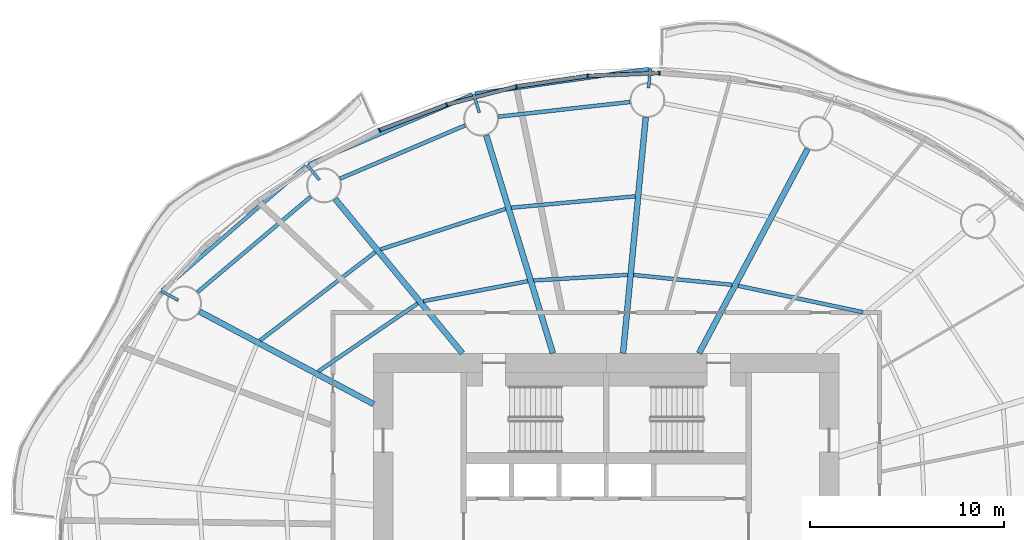
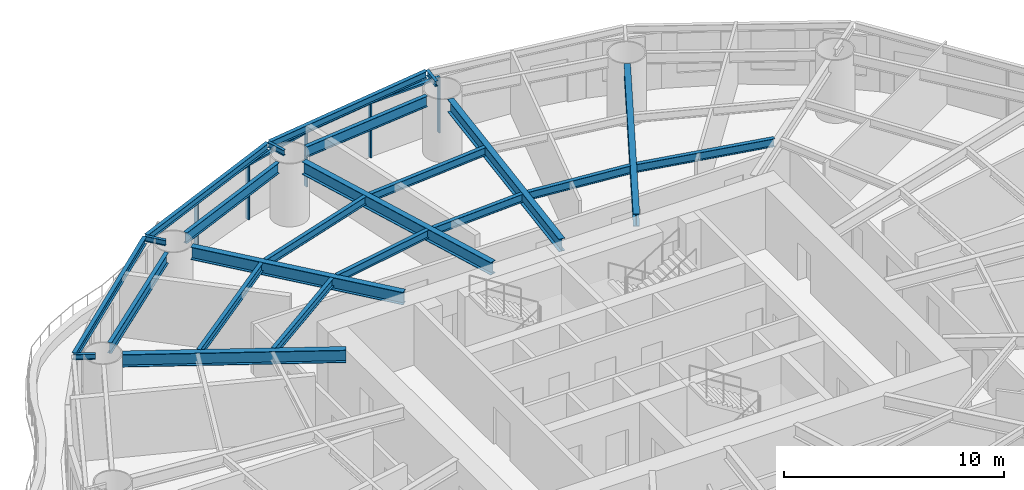
# One storey, part 5 of 16: 23 beams, 9 members, 4 elements without a shape of their own.
"""IFC4 building model written with IfcOpenShell, lengths in metres."""

from ifc_helpers import new_model, si_unit, direction, frame, origin, origin_2d, place, context, subcontext, project, spatial, rectangle, i_section, extrude, material, material_profile, profile_set, type_object, element, aggregate, save


model = new_model("IFC4")

# Units and contexts
model_context = context("Model", 3, precision=1e-05, world=origin(), true_north=direction((0.0, 1.0)))
body_context = subcontext(model_context, "Body", "Model", "MODEL_VIEW")
ifc_project = project(units=[si_unit("LENGTHUNIT", "METRE"), si_unit("AREAUNIT", "SQUARE_METRE"), si_unit("VOLUMEUNIT", "CUBIC_METRE"), si_unit("PLANEANGLEUNIT", "RADIAN"), si_unit("MASSUNIT", "GRAM", prefix="KILO")], contexts=[model_context])

# Site, building, storey
site_placement = place(None, origin())
site = spatial("IfcSite", under=ifc_project, at=site_placement, CompositionType="ELEMENT")
building_placement = place(site_placement, origin())
building = spatial("IfcBuilding", under=site, at=building_placement, Name="Vermilion Reach Broadcast Tower", CompositionType="ELEMENT")
storey_placement = place(building_placement, frame((0.0, 0.0, 80.39990234375)))
storey = spatial("IfcBuildingStorey", under=building, at=storey_placement, Name="L17", CompositionType="ELEMENT", Elevation=80.39990234375)

# Beams
ifc_material_1 = material(Name="Steel S355J2", Category="steel")
ifc_material_profile_1 = material_profile(ifc_material_1, i_section(OverallWidth=0.199951171875, OverallDepth=0.39990234375, WebThickness=0.008056640625, FlangeThickness=0.012939453125, at=origin_2d()), Name="S355J2 HN 400x200x8x13")
ifc_profile_set_1 = profile_set([ifc_material_profile_1], Name="Steel S355J2")
beam_type_1 = type_object("IfcBeamType", Name="EB1 HN 400x200x8x13", PredefinedType="BEAM", material=ifc_profile_set_1)
beam_1_placement = place(storey_placement, frame((-3.800048828125, 23.671875, 3.300048828125), z_axis=(-0.989796952398, -0.142485062457, 0.0), x_axis=(0.142485062457, -0.989796952398, 0.0)))
element("IfcBeam", 1, at=beam_1_placement, inside=storey, type_object=beam_type_1, Name="Edge beam EB1-04", PredefinedType="BEAM", context=body_context, shape_type="SweptSolid", body=[
    extrude(i_section(OverallWidth=0.199951171875, OverallDepth=0.39990234375, WebThickness=0.008056640625, FlangeThickness=0.012939453125, at=origin_2d()), origin(), (0.0, 0.0, 1.0), 9.060791015625),
])
beam_2_placement = place(storey_placement, frame((-12.912841796875, 22.340576171875, 3.300048828125), z_axis=(-0.920064099083, -0.391767856746, 0.0), x_axis=(0.391767856746, -0.920064099083, 0.0)))
element("IfcBeam", 2, at=beam_2_placement, inside=storey, type_object=beam_type_1, Name="Edge beam EB1-05", PredefinedType="BEAM", context=body_context, shape_type="SweptSolid", body=[
    extrude(i_section(OverallWidth=0.199951171875, OverallDepth=0.39990234375, WebThickness=0.008056640625, FlangeThickness=0.012939453125, at=origin_2d()), origin(), (0.0, 0.0, 1.0), 9.1806640625),
])
beam_3_placement = place(storey_placement, frame((-21.48828125, 18.6640625, 3.300048828125), z_axis=(-0.756490108512, -0.654005134325, 0.0), x_axis=(0.654005134325, -0.756490108512, 0.0)))
element("IfcBeam", 3, at=beam_3_placement, inside=storey, type_object=beam_type_1, Name="Edge beam EB1-06", PredefinedType="BEAM", context=body_context, shape_type="SweptSolid", body=[
    extrude(i_section(OverallWidth=0.199951171875, OverallDepth=0.39990234375, WebThickness=0.008056640625, FlangeThickness=0.012939453125, at=origin_2d()), origin(), (0.0, 0.0, 1.0), 9.798095703125),
])
ifc_material_2 = material(Name="Steel S355J2", Category="steel")
ifc_material_profile_2 = material_profile(ifc_material_2, i_section(OverallWidth=0.300048828125, OverallDepth=0.699951171875, WebThickness=0.012939453125, FlangeThickness=0.02392578125, at=origin_2d()), Name="S355J2 HN 700x300x13x24")
ifc_profile_set_2 = profile_set([ifc_material_profile_2], Name="Steel S355J2")
beam_type_2 = type_object("IfcBeamType", Name="G1 HN 700x300x13x24", PredefinedType="BEAM", material=ifc_profile_set_2)
beam_4_placement = place(storey_placement, frame((-1.216552734375, 9.0, 3.150146484375), z_axis=(0.469312182262, 0.883032318537, 0.0), x_axis=(-0.883032318537, 0.469312182262, 0.0)))
element("IfcBeam", 4, at=beam_4_placement, inside=storey, type_object=beam_type_2, Name="Girder G1-03", PredefinedType="BEAM", context=body_context, shape_type="SweptSolid", body=[
    extrude(i_section(OverallWidth=0.300048828125, OverallDepth=0.699951171875, WebThickness=0.012939453125, FlangeThickness=0.02392578125, at=origin_2d()), origin(), (0.0, 0.0, 1.0), 11.94091796875),
])
beam_5_placement = place(storey_placement, frame((-5.135009765625, 9.0, 3.150146484375), z_axis=(0.09566673912, 0.995413419151, 0.0), x_axis=(-0.995413419151, 0.09566673912, 0.0)))
element("IfcBeam", 5, at=beam_5_placement, inside=storey, type_object=beam_type_2, Name="Girder G1-04", PredefinedType="BEAM", context=body_context, shape_type="SweptSolid", body=[
    extrude(i_section(OverallWidth=0.300048828125, OverallDepth=0.699951171875, WebThickness=0.012939453125, FlangeThickness=0.02392578125, at=origin_2d()), origin(), (0.0, 0.0, 1.0), 12.22412109375),
])
beam_6_placement = place(storey_placement, frame((-8.753173828125, 9.0, 3.150146484375), z_axis=(-0.292542302886, 0.95625258223, 0.0), x_axis=(-0.95625258223, -0.292542302886, 0.0)))
element("IfcBeam", 6, at=beam_6_placement, inside=storey, type_object=beam_type_2, Name="Girder G1-05", PredefinedType="BEAM", context=body_context, shape_type="SweptSolid", body=[
    extrude(i_section(OverallWidth=0.300048828125, OverallDepth=0.699951171875, WebThickness=0.012939453125, FlangeThickness=0.02392578125, at=origin_2d()), origin(), (0.0, 0.0, 1.0), 11.76220703125),
])
beam_7_placement = place(storey_placement, frame((-13.421630859375, 9.0, 3.150146484375), z_axis=(-0.636215165107, 0.77151167437, 0.0), x_axis=(-0.77151167437, -0.636215165107, 0.0)))
element("IfcBeam", 7, at=beam_7_placement, inside=storey, type_object=beam_type_2, Name="Girder G1-06", PredefinedType="BEAM", context=body_context, shape_type="SweptSolid", body=[
    extrude(i_section(OverallWidth=0.300048828125, OverallDepth=0.699951171875, WebThickness=0.012939453125, FlangeThickness=0.02392578125, at=origin_2d()), origin(), (0.0, 0.0, 1.0), 10.3251953125),
])
beam_8_placement = place(storey_placement, frame((-18.0, 6.3779296875, 3.150146484375), z_axis=(-0.883032139419, 0.469312519279, 0.0), x_axis=(-0.469312519279, -0.883032139419, 0.0)))
element("IfcBeam", 8, at=beam_8_placement, inside=storey, type_object=beam_type_2, Name="Girder G1-07", PredefinedType="BEAM", context=body_context, shape_type="SweptSolid", body=[
    extrude(i_section(OverallWidth=0.300048828125, OverallDepth=0.699951171875, WebThickness=0.012939453125, FlangeThickness=0.02392578125, at=origin_2d()), origin(), (0.0, 0.0, 1.0), 10.17529296875),
])
ifc_material_3 = material(Name="Steel S355J2", Category="steel")
ifc_material_profile_3 = material_profile(ifc_material_3, i_section(OverallWidth=0.14990234375, OverallDepth=0.300048828125, WebThickness=0.006591796875, FlangeThickness=0.009033203125, at=origin_2d()), Name="S355J2 HN 300x150x6.5x9")
ifc_profile_set_3 = profile_set([ifc_material_profile_3], Name="Steel S355J2")
beam_type_3 = type_object("IfcBeamType", Name="GS1 HN 300x150x6.5x9", PredefinedType="BEAM", material=ifc_profile_set_3)
for number, where, z_axis, x_axis, name in (
    (9, (-3.8193359375, 22.6875, 3.35009765625), (0.095465829939, 0.995432707577, 0.0), (-0.995432707577, 0.095465829939, 0.0), "Cantilever stub GS1-04"),
    (10, (-12.551025390625, 21.413818359375, 3.35009765625), (-0.292472824594, 0.95627383467, 0.0), (-0.95627383467, -0.292472824594, 0.0), "Cantilever stub GS1-05"),
    (11, (-20.795166015625, 17.941650390625, 3.35009765625), (-0.636237674108, 0.771493112118, 0.0), (-0.771493112118, -0.636237674108, 0.0), "Cantilever stub GS1-06"),
    (12, (-28.078369140625, 11.734375, 3.35009765625), (-0.883068299348, 0.469244476458, 0.0), (-0.469244476458, -0.883068299348, 0.0), "Cantilever stub GS1-07"),
):
    element("IfcBeam", number, at=place(storey_placement, frame(where, z_axis=z_axis, x_axis=x_axis)), inside=storey, type_object=beam_type_3, Name=name, PredefinedType="BEAM", context=body_context, shape_type="SweptSolid", body=[
        extrude(i_section(OverallWidth=0.14990234375, OverallDepth=0.300048828125, WebThickness=0.006591796875, FlangeThickness=0.009033203125, at=origin_2d()), origin(), (0.0, 0.0, 1.0), 1.0),
    ])
ifc_material_4 = material(Name="Steel S355J2", Category="steel")
ifc_material_profile_4 = material_profile(ifc_material_4, i_section(OverallWidth=0.199951171875, OverallDepth=0.60009765625, WebThickness=0.010986328125, FlangeThickness=0.01708984375, at=origin_2d()), Name="S355J2 HN 600x200x11x17")
ifc_profile_set_4 = profile_set([ifc_material_profile_4], Name="Steel S355J2")
beam_type_4 = type_object("IfcBeamType", Name="RB1 HN 600x200x11x17", PredefinedType="BEAM", material=ifc_profile_set_4)
beam_9_placement = place(storey_placement, frame((-4.77392578125, 21.964111328125, 3.2001953125), z_axis=(-0.993851439324, -0.110721798009, 0.0), x_axis=(0.110721798009, -0.993851439324, 0.0)))
element("IfcBeam", 13, at=beam_9_placement, inside=storey, type_object=beam_type_4, Name="Ring beam RB1-04", PredefinedType="BEAM", context=body_context, shape_type="SweptSolid", body=[
    extrude(i_section(OverallWidth=0.199951171875, OverallDepth=0.60009765625, WebThickness=0.010986328125, FlangeThickness=0.01708984375, at=origin_2d()), origin(), (0.0, 0.0, 1.0), 6.8310546875),
])
beam_10_placement = place(storey_placement, frame((-13.28564453125, 20.755859375, 3.2001953125), z_axis=(-0.920220846584, -0.391399531825, 0.0), x_axis=(0.391399531825, -0.920220846584, 0.0)))
element("IfcBeam", 14, at=beam_10_placement, inside=storey, type_object=beam_type_4, Name="Ring beam RB1-05", PredefinedType="BEAM", context=body_context, shape_type="SweptSolid", body=[
    extrude(i_section(OverallWidth=0.199951171875, OverallDepth=0.60009765625, WebThickness=0.010986328125, FlangeThickness=0.01708984375, at=origin_2d()), origin(), (0.0, 0.0, 1.0), 7.008544921875),
])
beam_11_placement = place(storey_placement, frame((-21.251220703125, 17.080322265625, 3.2001953125), z_axis=(-0.764512441084, -0.6446089725, 0.0), x_axis=(0.6446089725, -0.764512441084, 0.0)))
element("IfcBeam", 15, at=beam_11_placement, inside=storey, type_object=beam_type_4, Name="Ring beam RB1-06", PredefinedType="BEAM", context=body_context, shape_type="SweptSolid", body=[
    extrude(i_section(OverallWidth=0.199951171875, OverallDepth=0.60009765625, WebThickness=0.010986328125, FlangeThickness=0.01708984375, at=origin_2d()), origin(), (0.0, 0.0, 1.0), 7.6396484375),
])
ifc_material_5 = material(Name="Steel S355J2", Category="steel")
ifc_material_profile_5 = material_profile(ifc_material_5, i_section(OverallWidth=0.199951171875, OverallDepth=0.449951171875, WebThickness=0.009033203125, FlangeThickness=0.013916015625, at=origin_2d()), Name="S355J2 HN 450x200x9x14")
ifc_profile_set_5 = profile_set([ifc_material_profile_5], Name="Steel S355J2")
beam_type_5 = type_object("IfcBeamType", Name="SB1 HN 450x200x9x14", PredefinedType="BEAM", material=ifc_profile_set_5)
beam_12_placement = place(storey_placement, frame((7.24560546875, 11.1171875, 3.275146484375), z_axis=(-0.978270372412, 0.207333254596, 0.0), x_axis=(-0.207333254596, -0.978270372412, 0.0)))
element("IfcBeam", 16, at=beam_12_placement, inside=storey, type_object=beam_type_5, Name="Secondary beam SB1-02-1", PredefinedType="BEAM", context=body_context, shape_type="SweptSolid", body=[
    extrude(i_section(OverallWidth=0.199951171875, OverallDepth=0.449951171875, WebThickness=0.009033203125, FlangeThickness=0.013916015625, at=origin_2d()), origin(), (0.0, 0.0, 1.0), 6.584716796875),
])
beam_13_placement = place(storey_placement, frame((0.490234375, 12.531005859375, 3.275146484375), z_axis=(-0.995010199331, 0.099773259079, 0.0), x_axis=(-0.099773259079, -0.995010199331, 0.0)))
element("IfcBeam", 17, at=beam_13_placement, inside=storey, type_object=beam_type_5, Name="Secondary beam SB1-03-1", PredefinedType="BEAM", context=body_context, shape_type="SweptSolid", body=[
    extrude(i_section(OverallWidth=0.199951171875, OverallDepth=0.449951171875, WebThickness=0.009033203125, FlangeThickness=0.013916015625, at=origin_2d()), origin(), (0.0, 0.0, 1.0), 5.111572265625),
])
beam_14_placement = place(storey_placement, frame((-4.896728515625, 13.046875, 3.275146484375), z_axis=(-0.99823410974, -0.059402543307, 0.0), x_axis=(0.059402543307, -0.99823410974, 0.0)))
element("IfcBeam", 18, at=beam_14_placement, inside=storey, type_object=beam_type_5, Name="Secondary beam SB1-04-1", PredefinedType="BEAM", context=body_context, shape_type="SweptSolid", body=[
    extrude(i_section(OverallWidth=0.199951171875, OverallDepth=0.449951171875, WebThickness=0.009033203125, FlangeThickness=0.013916015625, at=origin_2d()), origin(), (0.0, 0.0, 1.0), 4.85791015625),
])
beam_15_placement = place(storey_placement, frame((-4.50732421875, 17.09814453125, 3.275146484375), z_axis=(-0.995818616382, -0.091352521952, 0.0), x_axis=(0.091352521952, -0.995818616382, 0.0)))
element("IfcBeam", 19, at=beam_15_placement, inside=storey, type_object=beam_type_5, Name="Secondary beam SB1-04-2", PredefinedType="BEAM", context=body_context, shape_type="SweptSolid", body=[
    extrude(i_section(OverallWidth=0.199951171875, OverallDepth=0.449951171875, WebThickness=0.009033203125, FlangeThickness=0.013916015625, at=origin_2d()), origin(), (0.0, 0.0, 1.0), 6.4140625),
])
beam_16_placement = place(storey_placement, frame((-10.04833984375, 12.720703125, 3.275146484375), z_axis=(-0.982151348822, -0.188092339045, 0.0), x_axis=(0.188092339045, -0.982151348822, 0.0)))
element("IfcBeam", 20, at=beam_16_placement, inside=storey, type_object=beam_type_5, Name="Secondary beam SB1-05-1", PredefinedType="BEAM", context=body_context, shape_type="SweptSolid", body=[
    extrude(i_section(OverallWidth=0.199951171875, OverallDepth=0.449951171875, WebThickness=0.009033203125, FlangeThickness=0.013916015625, at=origin_2d()), origin(), (0.0, 0.0, 1.0), 5.4931640625),
])
beam_17_placement = place(storey_placement, frame((-11.18994140625, 16.4521484375, 3.275146484375), z_axis=(-0.951332300844, -0.308166924523, 0.0), x_axis=(0.308166924523, -0.951332300844, 0.0)))
element("IfcBeam", 21, at=beam_17_placement, inside=storey, type_object=beam_type_5, Name="Secondary beam SB1-05-2", PredefinedType="BEAM", context=body_context, shape_type="SweptSolid", body=[
    extrude(i_section(OverallWidth=0.199951171875, OverallDepth=0.449951171875, WebThickness=0.009033203125, FlangeThickness=0.013916015625, at=origin_2d()), origin(), (0.0, 0.0, 1.0), 6.787841796875),
])
beam_18_placement = place(storey_placement, frame((-15.735595703125, 11.5703125, 3.275146484375), z_axis=(-0.825140253447, -0.564927926502, 0.0), x_axis=(0.564927926502, -0.825140253447, 0.0)))
element("IfcBeam", 22, at=beam_18_placement, inside=storey, type_object=beam_type_5, Name="Secondary beam SB1-06-1", PredefinedType="BEAM", context=body_context, shape_type="SweptSolid", body=[
    extrude(i_section(OverallWidth=0.199951171875, OverallDepth=0.449951171875, WebThickness=0.009033203125, FlangeThickness=0.013916015625, at=origin_2d()), origin(), (0.0, 0.0, 1.0), 6.20458984375),
])
beam_19_placement = place(storey_placement, frame((-17.920166015625, 14.21923828125, 3.275146484375), z_axis=(-0.793349617473, -0.60876628065, 0.0), x_axis=(0.60876628065, -0.793349617473, 0.0)))
element("IfcBeam", 23, at=beam_19_placement, inside=storey, type_object=beam_type_5, Name="Secondary beam SB1-06-2", PredefinedType="BEAM", context=body_context, shape_type="SweptSolid", body=[
    extrude(i_section(OverallWidth=0.199951171875, OverallDepth=0.449951171875, WebThickness=0.009033203125, FlangeThickness=0.013916015625, at=origin_2d()), origin(), (0.0, 0.0, 1.0), 7.486328125),
])

# Curtain wall, member
ifc_material_6 = material(Name="Low-e laminated clear glass in aluminium frame", Category="aluminium")
curtain_wall_type = type_object("IfcCurtainWallType", Name="Slot curtain wall", PredefinedType="NOTDEFINED", material=ifc_material_6)
placement = place(storey_placement, origin())
curtain_wall_1 = element("IfcCurtainWall", 24, at=placement, inside=storey, type_object=curtain_wall_type, Name="Slot curtain wall L17 10", PredefinedType="NOTDEFINED")
ifc_material_7 = material(Name="Anodised aluminium", Category="aluminium")
ifc_material_profile_6 = material_profile(ifc_material_7, rectangle(XDim=0.199951171875, YDim=0.080078125, at=origin_2d()), Name="Slot mullion 80 x 200")
ifc_profile_set_6 = profile_set([ifc_material_profile_6], Name="Anodised aluminium")
member_type_1 = type_object("IfcMemberType", Name="Slot mullion 80 x 200", PredefinedType="MULLION", material=ifc_profile_set_6)
member_1_placement = place(storey_placement, frame((-3.26123046875, 23.456298828125, 0.0), z_axis=(0.0, 0.0, 1.0), x_axis=(-0.015375744911, -0.999881786247, 0.0)))
member_1 = element("IfcMember", 25, at=member_1_placement, type_object=member_type_1, Name="Slot mullion L17 10", PredefinedType="MULLION", context=body_context, shape_type="SweptSolid", body=[
    extrude(rectangle(XDim=0.199951171875, YDim=0.080078125, at=origin_2d()), origin(), (0.0, 0.0, 1.0), 3.10009765625),
])

curtain_wall_2 = element("IfcCurtainWall", 26, at=placement, inside=storey, type_object=curtain_wall_type, Name="Slot curtain wall L17 11", PredefinedType="NOTDEFINED")
member_2_placement = place(storey_placement, frame((-6.95849609375, 23.31005859375, 0.0), z_axis=(0.0, 0.0, 1.0), x_axis=(0.093310108716, -0.995637094333, 0.0)))
member_2 = element("IfcMember", 27, at=member_2_placement, type_object=member_type_1, Name="Slot mullion L17 11", PredefinedType="MULLION", context=body_context, shape_type="SweptSolid", body=[
    extrude(rectangle(XDim=0.199951171875, YDim=0.080078125, at=origin_2d()), origin(), (0.0, 0.0, 1.0), 3.10009765625),
])

curtain_wall_3 = element("IfcCurtainWall", 28, at=placement, inside=storey, type_object=curtain_wall_type, Name="Slot curtain wall L17 12", PredefinedType="NOTDEFINED")
member_3_placement = place(storey_placement, frame((-10.6396484375, 22.763671875, 0.0), z_axis=(0.0, 0.0, 1.0), x_axis=(0.199710001584, -0.97985504809, 0.0)))
member_3 = element("IfcMember", 29, at=member_3_placement, type_object=member_type_1, Name="Slot mullion L17 12", PredefinedType="MULLION", context=body_context, shape_type="SweptSolid", body=[
    extrude(rectangle(XDim=0.199951171875, YDim=0.080078125, at=origin_2d()), origin(), (0.0, 0.0, 1.0), 3.10009765625),
])

# Curtain wall, members
curtain_wall_4 = element("IfcCurtainWall", 30, at=placement, inside=storey, type_object=curtain_wall_type, Name="Slot curtain wall L17 13", PredefinedType="NOTDEFINED")
member_4_placement = place(storey_placement, frame((-14.240966796875, 21.825927734375, 0.0), z_axis=(0.0, 0.0, 1.0), x_axis=(0.303799182266, -0.952736089825, 0.0)))
member_4 = element("IfcMember", 31, at=member_4_placement, type_object=member_type_1, Name="Slot mullion L17 13", PredefinedType="MULLION", context=body_context, shape_type="SweptSolid", body=[
    extrude(rectangle(XDim=0.199951171875, YDim=0.080078125, at=origin_2d()), origin(), (0.0, 0.0, 1.0), 3.10009765625),
])
member_5_placement = place(storey_placement, frame((-17.700439453125, 20.51318359375, 0.0), z_axis=(0.0, 0.0, 1.0), x_axis=(0.405476603752, -0.9141054227, 0.0)))
member_5 = element("IfcMember", 32, at=member_5_placement, type_object=member_type_1, Name="Slot mullion L17 14", PredefinedType="MULLION", context=body_context, shape_type="SweptSolid", body=[
    extrude(rectangle(XDim=0.199951171875, YDim=0.080078125, at=origin_2d()), origin(), (0.0, 0.0, 1.0), 3.10009765625),
])

# Member
ifc_material_8 = material(Name="Anodised aluminium", Category="aluminium")
ifc_material_profile_7 = material_profile(ifc_material_8, rectangle(XDim=0.199951171875, YDim=0.10009765625, at=origin_2d()), Name="Slot transom 200 x 100")
ifc_profile_set_7 = profile_set([ifc_material_profile_7], Name="Anodised aluminium")
member_type_2 = type_object("IfcMemberType", Name="Slot transom 200 x 100", PredefinedType="USERDEFINED", material=ifc_profile_set_7)
member_6_placement = place(storey_placement, frame((-3.30126953125, 23.45458984375, 3.050048828125), z_axis=(-0.999221403661, -0.039453598889, 0.0), x_axis=(0.039453598889, -0.999221403661, 0.0)))
member_6 = element("IfcMember", 33, at=member_6_placement, type_object=member_type_2, Name="Slot transom L17 10.1", ObjectType="TRANSOM", PredefinedType="USERDEFINED", context=body_context, shape_type="SweptSolid", body=[
    extrude(rectangle(XDim=0.199951171875, YDim=0.10009765625, at=origin_2d()), origin(), (0.0, 0.0, 1.0), 3.6201171875),
])

aggregate(curtain_wall_1, [member_1, member_6])

member_7_placement = place(storey_placement, frame((-6.998046875, 23.30419921875, 3.050048828125), z_axis=(-0.989162387444, -0.146825649214, 0.0), x_axis=(0.146825649214, -0.989162387444, 0.0)))
member_7 = element("IfcMember", 34, at=member_7_placement, type_object=member_type_2, Name="Slot transom L17 11.1", ObjectType="TRANSOM", PredefinedType="USERDEFINED", context=body_context, shape_type="SweptSolid", body=[
    extrude(rectangle(XDim=0.199951171875, YDim=0.10009765625, at=origin_2d()), origin(), (0.0, 0.0, 1.0), 3.6416015625),
])

aggregate(curtain_wall_2, [member_2, member_7])

member_8_placement = place(storey_placement, frame((-10.67822265625, 22.75341796875, 3.050048828125), z_axis=(-0.967738199481, -0.251957887879, 0.0), x_axis=(0.251957887879, -0.967738199481, 0.0)))
member_8 = element("IfcMember", 35, at=member_8_placement, type_object=member_type_2, Name="Slot transom L17 12.1", ObjectType="TRANSOM", PredefinedType="USERDEFINED", context=body_context, shape_type="SweptSolid", body=[
    extrude(rectangle(XDim=0.199951171875, YDim=0.10009765625, at=origin_2d()), origin(), (0.0, 0.0, 1.0), 3.641357421875),
])

aggregate(curtain_wall_3, [member_3, member_8])

member_9_placement = place(storey_placement, frame((-14.2783203125, 21.811767578125, 3.050048828125), z_axis=(-0.934969762835, -0.354727420118, 0.0), x_axis=(0.354727420118, -0.934969762835, 0.0)))
member_9 = element("IfcMember", 36, at=member_9_placement, type_object=member_type_2, Name="Slot transom L17 13.1", ObjectType="TRANSOM", PredefinedType="USERDEFINED", context=body_context, shape_type="SweptSolid", body=[
    extrude(rectangle(XDim=0.199951171875, YDim=0.10009765625, at=origin_2d()), origin(), (0.0, 0.0, 1.0), 3.6201171875),
])

aggregate(curtain_wall_4, [member_4, member_5, member_9])

save(model, "model.ifc")
